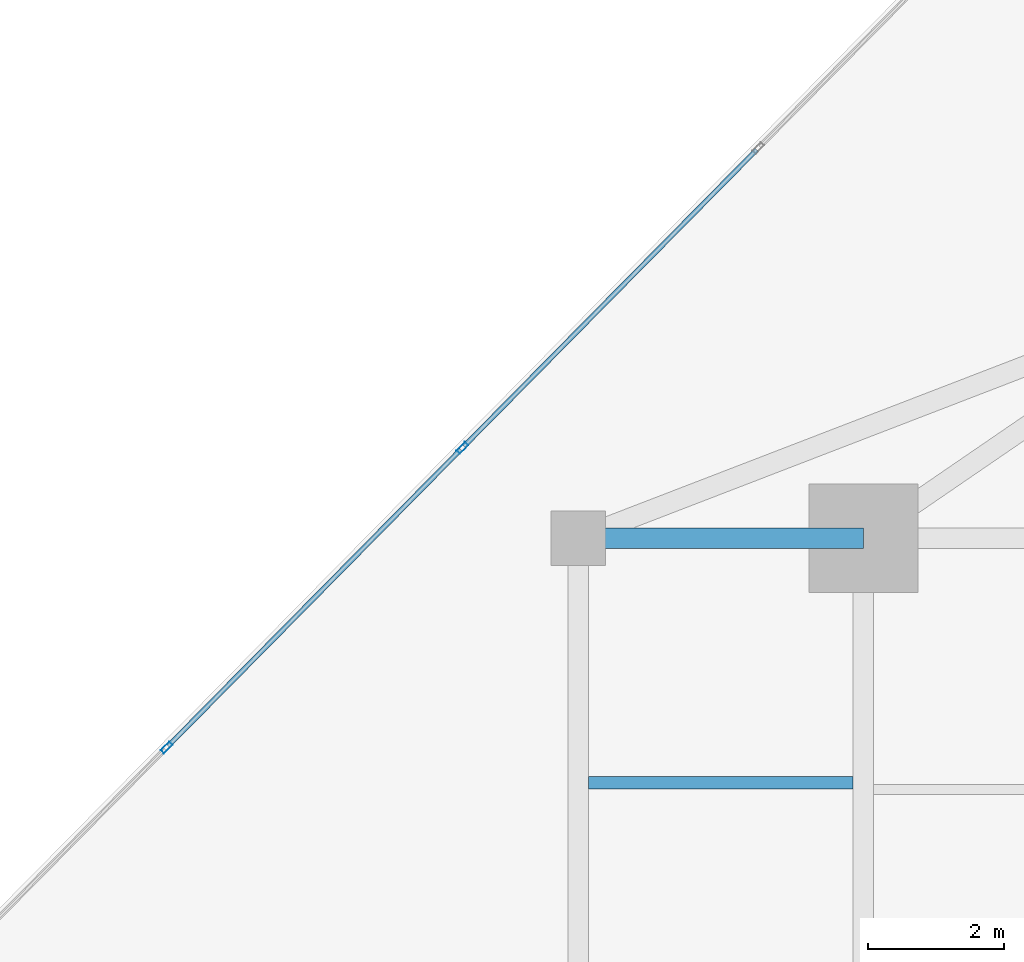
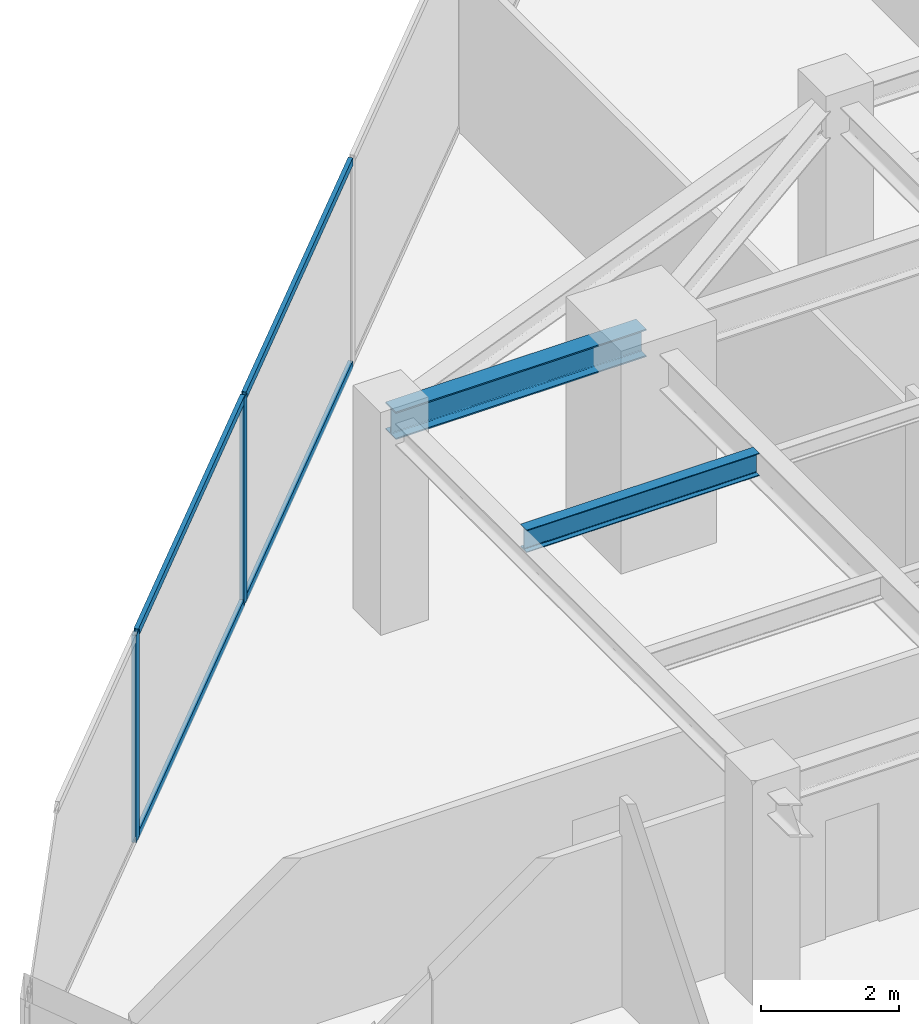
# One storey, part 13 of 24: 6 members, 2 beams, 1 element without a shape of its own.
"""IFC4 building model written with IfcOpenShell, lengths in metres."""

from ifc_helpers import new_model, si_unit, direction, frame, origin, origin_2d, place, context, subcontext, project, spatial, hollow_rectangle, i_section, extrude, source, transform, mapped, material, material_profile, profile_set, type_object, type_shapes, element, aggregate, save


model = new_model("IFC4")

# Units and contexts
model_context = context("Model", 3, precision=1e-05, world=origin(), true_north=direction((0.0, 1.0)))
body_context = subcontext(model_context, "Body", "Model", "MODEL_VIEW")
ifc_project = project(units=[si_unit("LENGTHUNIT", "METRE"), si_unit("AREAUNIT", "SQUARE_METRE"), si_unit("VOLUMEUNIT", "CUBIC_METRE"), si_unit("PLANEANGLEUNIT", "RADIAN"), si_unit("MASSUNIT", "GRAM", prefix="KILO")], contexts=[model_context])

# Site, building, storey
site_placement = place(None, origin())
site = spatial("IfcSite", under=ifc_project, at=site_placement, CompositionType="ELEMENT")
building_placement = place(site_placement, origin())
building = spatial("IfcBuilding", under=site, at=building_placement, Name="Krantzveldt Concourse Tower", CompositionType="ELEMENT")
storey_placement = place(building_placement, frame((0.0, 0.0, 234.949951171875)))
storey = spatial("IfcBuildingStorey", under=building, at=storey_placement, Name="L57", CompositionType="ELEMENT", Elevation=234.949951171875)

# Beams
ifc_material_1 = material(Name="Steel S355JR", Category="steel")
ifc_material_profile_1 = material_profile(ifc_material_1, i_section(OverallWidth=0.300048828125, OverallDepth=0.489990234375, WebThickness=0.011962890625, FlangeThickness=0.02294921875, FilletRadius=0.027099609375, at=origin_2d()), Name="Steel S355JR", Category="steel")
ifc_profile_set_1 = profile_set([ifc_material_profile_1], Name="Steel S355JR - HEA 500")
beam_type_1 = type_object("IfcBeamType", Name="BM-B-HEA500", PredefinedType="BEAM", material=ifc_profile_set_1)
shared_shape_1 = source(origin(), body_context, "Body", "SweptSolid", [
    extrude(i_section(OverallWidth=0.300048828125, OverallDepth=0.489990234375, WebThickness=0.011962890625, FlangeThickness=0.02294921875, FilletRadius=0.027099609375, at=origin_2d()), origin(), (0.0, 0.0, 1.0), 4.199951171875),
])
type_shapes(beam_type_1, [shared_shape_1])
beam_1_placement = place(storey_placement, frame((21.0, 37.5, 3.425048828125), z_axis=(1.0, 0.0, 0.0), x_axis=(0.0, 1.0, 0.0)))
element("IfcBeam", 1, at=beam_1_placement, inside=storey, type_object=beam_type_1, Name="L57 Tower Girder BR-RL3", PredefinedType="BEAM", context=body_context, shape_type="MappedRepresentation", body=[
    mapped(shared_shape_1, transform((0.0, 0.0, 0.0), x_axis=(1.0, 0.0, 0.0), y_axis=(0.0, 1.0, 0.0), z_axis=(0.0, 0.0, 1.0), scale=1.0)),
])
ifc_material_profile_2 = material_profile(ifc_material_1, i_section(OverallWidth=0.179931640625, OverallDepth=0.39990234375, WebThickness=0.008544921875, FlangeThickness=0.013427734375, FilletRadius=0.02099609375, at=origin_2d()), Name="Steel S355JR", Category="steel")
ifc_profile_set_2 = profile_set([ifc_material_profile_2], Name="Steel S355JR - IPE 400")
beam_type_2 = type_object("IfcBeamType", Name="BM-J-IPE400", PredefinedType="JOIST", material=ifc_profile_set_2)
shared_shape_2 = source(origin(), body_context, "Body", "SweptSolid", [
    extrude(i_section(OverallWidth=0.179931640625, OverallDepth=0.39990234375, WebThickness=0.008544921875, FlangeThickness=0.013427734375, FilletRadius=0.02099609375, at=origin_2d()), origin(), (0.0, 0.0, 1.0), 3.900146484375),
])
type_shapes(beam_type_2, [shared_shape_2])
beam_2_placement = place(storey_placement, frame((21.14990234375, 33.89990234375, 3.469970703125), z_axis=(1.0, 0.0, 0.0), x_axis=(0.0, 1.0, 0.0)))
element("IfcBeam", 2, at=beam_2_placement, inside=storey, type_object=beam_type_2, Name="L57 Secondary Floor Joist JW-4", PredefinedType="JOIST", context=body_context, shape_type="MappedRepresentation", body=[
    mapped(shared_shape_2, transform((0.0, 0.0, 0.0), x_axis=(1.0, 0.0, 0.0), y_axis=(0.0, 1.0, 0.0), z_axis=(0.0, 0.0, 1.0), scale=1.0)),
])

# Curtain wall, members
ifc_material_2 = material(Name="Anodised aluminium 6063-T6", Category="aluminium")
curtain_wall_type = type_object("IfcCurtainWallType", Name="CW3", PredefinedType="USERDEFINED", material=ifc_material_2)
curtain_wall_placement = place(storey_placement, origin())
curtain_wall = element("IfcCurtainWall", 3, at=curtain_wall_placement, inside=storey, type_object=curtain_wall_type, Name="CW-L57-F01", ObjectType="UNITISED CURTAIN WALL", PredefinedType="USERDEFINED")
ifc_material_profile_3 = material_profile(ifc_material_2, hollow_rectangle(XDim=0.070068359375, YDim=0.179931640625, WallThickness=0.0048828125, at=origin_2d()), Name="Anodised aluminium 6063-T6", Category="aluminium")
ifc_profile_set_3 = profile_set([ifc_material_profile_3], Name="Anodised aluminium 6063-T6 - ALU-MULL 180x70x5")
member_type_1 = type_object("IfcMemberType", Name="CW-MUL-180", PredefinedType="MULLION", material=ifc_profile_set_3)
shared_shape_3 = source(origin(), body_context, "Body", "SweptSolid", [
    extrude(hollow_rectangle(XDim=0.070068359375, YDim=0.179931640625, WallThickness=0.0048828125, at=origin_2d()), origin(), (0.0, 0.0, 1.0), 3.670166015625),
])
type_shapes(member_type_1, [shared_shape_3])
member_1_placement = place(storey_placement, frame((19.296142578125, 38.8310546875, 0.0), z_axis=(0.0, 0.0, 1.0), x_axis=(0.711719700179, -0.702463570854, 0.0)))
member_1 = element("IfcMember", 4, at=member_1_placement, type_object=member_type_1, Name="CW-Z34 mullion 4", PredefinedType="MULLION", context=body_context, shape_type="MappedRepresentation", body=[
    mapped(shared_shape_3, transform((0.0, 0.0, 0.0), x_axis=(1.0, 0.0, 0.0), y_axis=(0.0, 1.0, 0.0), z_axis=(0.0, 0.0, 1.0), scale=1.0)),
])
member_2_placement = place(storey_placement, frame((14.94091796875, 34.418212890625, 0.0), z_axis=(0.0, 0.0, 1.0), x_axis=(0.711719700179, -0.702463570854, 0.0)))
member_2 = element("IfcMember", 5, at=member_2_placement, type_object=member_type_1, Name="CW-Z34 mullion 5", PredefinedType="MULLION", context=body_context, shape_type="MappedRepresentation", body=[
    mapped(shared_shape_3, transform((0.0, 0.0, 0.0), x_axis=(1.0, 0.0, 0.0), y_axis=(0.0, 1.0, 0.0), z_axis=(0.0, 0.0, 1.0), scale=1.0)),
])
ifc_material_profile_4 = material_profile(ifc_material_2, hollow_rectangle(XDim=0.070068359375, YDim=0.139892578125, WallThickness=0.0048828125, at=origin_2d()), Name="Anodised aluminium 6063-T6", Category="aluminium")
ifc_profile_set_4 = profile_set([ifc_material_profile_4], Name="Anodised aluminium 6063-T6 - ALU-TRAN 140x70x5")
member_type_2 = type_object("IfcMemberType", Name="CW-TRN-150", PredefinedType="USERDEFINED", material=ifc_profile_set_4)
shared_shape_4 = source(origin(), body_context, "Body", "SweptSolid", [
    extrude(hollow_rectangle(XDim=0.070068359375, YDim=0.139892578125, WallThickness=0.0048828125, at=origin_2d()), origin(), (0.0, 0.0, 1.0), 6.1298828125),
])
type_shapes(member_type_2, [shared_shape_4])
member_3_placement = place(storey_placement, frame((23.626953125, 43.21875, 0.03515625), z_axis=(-0.702471736112, -0.71171164102, 0.0), x_axis=(0.71171164102, -0.702471736112, 0.0)))
member_3 = element("IfcMember", 6, at=member_3_placement, type_object=member_type_2, Name="CW-Z34 transom 3.1", ObjectType="TRANSOM", PredefinedType="USERDEFINED", context=body_context, shape_type="MappedRepresentation", body=[
    mapped(shared_shape_4, transform((0.0, 0.0, 0.0), x_axis=(1.0, 0.0, 0.0), y_axis=(0.0, 1.0, 0.0), z_axis=(0.0, 0.0, 1.0), scale=1.0)),
])
member_4_placement = place(storey_placement, frame((23.626953125, 43.21875, 3.635009765625), z_axis=(-0.702471736112, -0.71171164102, 0.0), x_axis=(0.71171164102, -0.702471736112, 0.0)))
member_4 = element("IfcMember", 7, at=member_4_placement, type_object=member_type_2, Name="CW-Z34 transom 3.2", ObjectType="TRANSOM", PredefinedType="USERDEFINED", context=body_context, shape_type="MappedRepresentation", body=[
    mapped(shared_shape_4, transform((0.0, 0.0, 0.0), x_axis=(1.0, 0.0, 0.0), y_axis=(0.0, 1.0, 0.0), z_axis=(0.0, 0.0, 1.0), scale=1.0)),
])
member_5_placement = place(storey_placement, frame((19.271484375, 38.80615234375, 0.03515625), z_axis=(-0.702431649327, -0.711751205144, 0.0), x_axis=(0.711751205144, -0.702431649327, 0.0)))
member_5 = element("IfcMember", 8, at=member_5_placement, type_object=member_type_2, Name="CW-Z34 transom 4.1", ObjectType="TRANSOM", PredefinedType="USERDEFINED", context=body_context, shape_type="MappedRepresentation", body=[
    mapped(shared_shape_4, transform((0.0, 0.0, 0.0), x_axis=(1.0, 0.0, 0.0), y_axis=(0.0, 1.0, 0.0), z_axis=(0.0, 0.0, 1.0), scale=1.0)),
])
member_6_placement = place(storey_placement, frame((19.271484375, 38.80615234375, 3.635009765625), z_axis=(-0.702431649327, -0.711751205144, 0.0), x_axis=(0.711751205144, -0.702431649327, 0.0)))
member_6 = element("IfcMember", 9, at=member_6_placement, type_object=member_type_2, Name="CW-Z34 transom 4.2", ObjectType="TRANSOM", PredefinedType="USERDEFINED", context=body_context, shape_type="MappedRepresentation", body=[
    mapped(shared_shape_4, transform((0.0, 0.0, 0.0), x_axis=(1.0, 0.0, 0.0), y_axis=(0.0, 1.0, 0.0), z_axis=(0.0, 0.0, 1.0), scale=1.0)),
])
aggregate(curtain_wall, [member_1, member_2, member_3, member_4, member_5, member_6])

save(model, "model.ifc")
